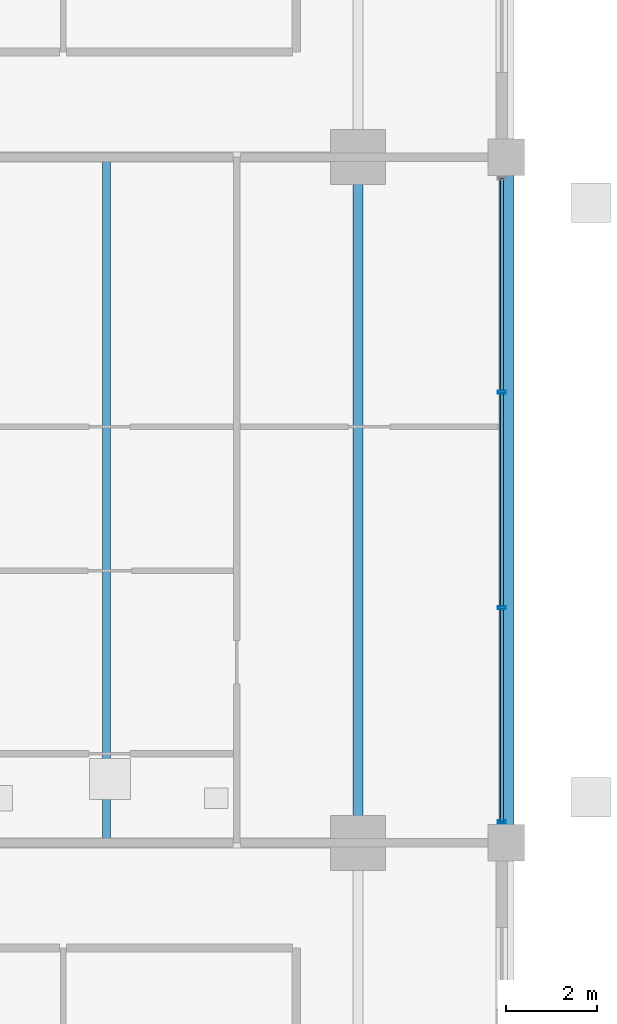
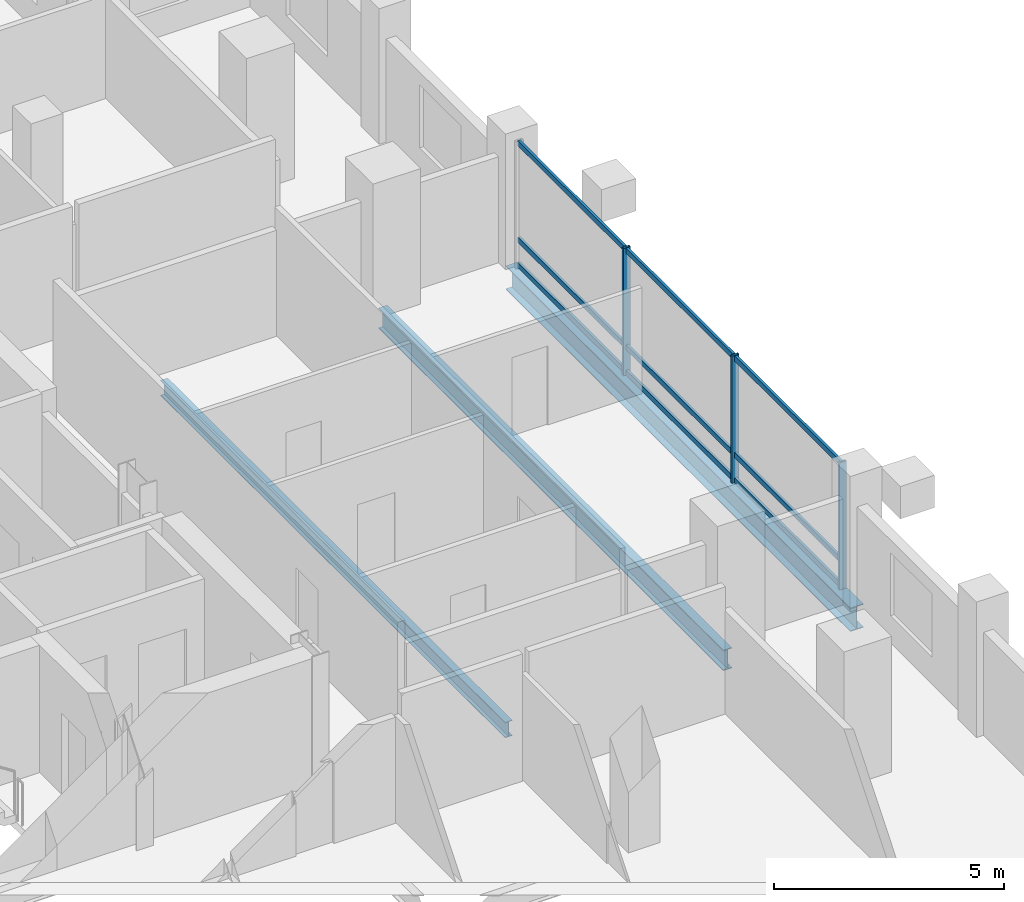
# One storey, part 7 of 19: 12 members, 3 beams, 1 element without a shape of its own.
"""IFC4 building model written with IfcOpenShell, lengths in metres."""

from ifc_helpers import new_model, si_unit, direction, frame, origin, origin_2d, place, context, subcontext, project, spatial, hollow_rectangle, i_section, extrude, material, layer, layer_set, material_profile, profile_set, type_object, element, aggregate, save


model = new_model("IFC4")

# Units and contexts
model_context = context("Model", 3, precision=1e-05, world=origin(), true_north=direction((0.0, 1.0)))
body_context = subcontext(model_context, "Body", "Model", "MODEL_VIEW")
ifc_project = project(units=[si_unit("LENGTHUNIT", "METRE"), si_unit("AREAUNIT", "SQUARE_METRE"), si_unit("VOLUMEUNIT", "CUBIC_METRE"), si_unit("PLANEANGLEUNIT", "RADIAN"), si_unit("MASSUNIT", "GRAM", prefix="KILO")], contexts=[model_context])

# Site, building, storey
site_placement = place(None, origin())
site = spatial("IfcSite", under=ifc_project, at=site_placement, CompositionType="ELEMENT")
building_placement = place(site_placement, origin())
building = spatial("IfcBuilding", under=site, at=building_placement, Name="Barlavira Tower and Art Museum", CompositionType="ELEMENT")
storey_placement = place(building_placement, frame((0.0, 0.0, 158.39990234375)))
storey = spatial("IfcBuildingStorey", under=building, at=storey_placement, Name="L40", CompositionType="ELEMENT", Elevation=158.39990234375)

# Curtain wall, members
ifc_material_1 = material(Name="Low-iron coastal laminated glass", Category="glass")
ifc_layer = layer(ifc_material_1, 0.18994140625, Name="Low-iron coastal laminated glass")
ifc_layer_set = layer_set([ifc_layer], Name="Low-iron coastal laminated glass")
curtain_wall_type = type_object("IfcCurtainWallType", Name="Pale-Metal Unitised Curtain Wall Zone 2", PredefinedType="NOTDEFINED", material=ifc_layer_set)
curtain_wall_placement = place(storey_placement, origin())
curtain_wall = element("IfcCurtainWall", 1, at=curtain_wall_placement, inside=storey, type_object=curtain_wall_type, Name="L40 Curtain Wall CW2-L40-E-B3", PredefinedType="NOTDEFINED")
ifc_material_2 = material(Name="Pale anodised aluminium", Category="aluminium")
ifc_material_profile_1 = material_profile(ifc_material_2, hollow_rectangle(XDim=0.06494140625, YDim=0.179931640625, WallThickness=0.00390625, at=origin_2d()), Name="ALU-MULL 65x180x4")
ifc_profile_set_1 = profile_set([ifc_material_profile_1], Name="Pale anodised aluminium")
member_type_1 = type_object("IfcMemberType", Name="Curtain Wall Pale-Metal Mullion 65x180", PredefinedType="MULLION", material=ifc_profile_set_1)
member_1_placement = place(storey_placement, frame((20.14990234375, -7.034912109375, 0.0), z_axis=(0.0, 0.0, 1.0), x_axis=(0.0, 1.0, 0.0)))
member_1 = element("IfcMember", 2, at=member_1_placement, type_object=member_type_1, Name="CW2-L40-E-B3 Mullion 0", PredefinedType="MULLION", context=body_context, shape_type="SweptSolid", body=[
    extrude(hollow_rectangle(XDim=0.06494140625, YDim=0.179931640625, WallThickness=0.00390625, at=origin_2d()), origin(), (0.0, 0.0, 1.0), 3.380126953125),
])
member_2_placement = place(storey_placement, frame((20.14990234375, -2.360107421875, 0.0), z_axis=(0.0, 0.0, 1.0), x_axis=(0.0, 1.0, 0.0)))
member_2 = element("IfcMember", 3, at=member_2_placement, type_object=member_type_1, Name="CW2-L40-E-B3 Mullion 1", PredefinedType="MULLION", context=body_context, shape_type="SweptSolid", body=[
    extrude(hollow_rectangle(XDim=0.06494140625, YDim=0.179931640625, WallThickness=0.00390625, at=origin_2d()), origin(), (0.0, 0.0, 1.0), 3.380126953125),
])
member_3_placement = place(storey_placement, frame((20.14990234375, 2.360107421875, 0.0), z_axis=(0.0, 0.0, 1.0), x_axis=(0.0, 1.0, 0.0)))
member_3 = element("IfcMember", 4, at=member_3_placement, type_object=member_type_1, Name="CW2-L40-E-B3 Mullion 2", PredefinedType="MULLION", context=body_context, shape_type="SweptSolid", body=[
    extrude(hollow_rectangle(XDim=0.06494140625, YDim=0.179931640625, WallThickness=0.00390625, at=origin_2d()), origin(), (0.0, 0.0, 1.0), 3.380126953125),
])
ifc_material_profile_2 = material_profile(ifc_material_2, hollow_rectangle(XDim=0.06494140625, YDim=0.139892578125, WallThickness=0.00390625, at=origin_2d()), Name="ALU-TRAN 65x140x4")
ifc_profile_set_2 = profile_set([ifc_material_profile_2], Name="Pale anodised aluminium")
member_type_2 = type_object("IfcMemberType", Name="Curtain Wall Pale-Metal Transom 65x140", PredefinedType="USERDEFINED", material=ifc_profile_set_2)
member_4_placement = place(storey_placement, frame((20.14990234375, -7.034912109375, 0.070068359375), z_axis=(0.0, 1.0, 0.0), x_axis=(-1.0, 0.0, 0.0)))
member_4 = element("IfcMember", 5, at=member_4_placement, type_object=member_type_2, Name="CW2-L40-E-B3 Transom 0.1", ObjectType="TRANSOM", PredefinedType="USERDEFINED", context=body_context, shape_type="SweptSolid", body=[
    extrude(hollow_rectangle(XDim=0.06494140625, YDim=0.139892578125, WallThickness=0.00390625, at=origin_2d()), origin(), (0.0, 0.0, 1.0), 4.6298828125),
])
member_5_placement = place(storey_placement, frame((20.14990234375, -7.034912109375, 0.744140625), z_axis=(0.0, 1.0, 0.0), x_axis=(-1.0, 0.0, 0.0)))
member_5 = element("IfcMember", 6, at=member_5_placement, type_object=member_type_2, Name="CW2-L40-E-B3 Transom 0.2", ObjectType="TRANSOM", PredefinedType="USERDEFINED", context=body_context, shape_type="SweptSolid", body=[
    extrude(hollow_rectangle(XDim=0.06494140625, YDim=0.139892578125, WallThickness=0.00390625, at=origin_2d()), origin(), (0.0, 0.0, 1.0), 4.6298828125),
])
member_6_placement = place(storey_placement, frame((20.14990234375, -7.034912109375, 3.31005859375), z_axis=(0.0, 1.0, 0.0), x_axis=(-1.0, 0.0, 0.0)))
member_6 = element("IfcMember", 7, at=member_6_placement, type_object=member_type_2, Name="CW2-L40-E-B3 Transom 0.3", ObjectType="TRANSOM", PredefinedType="USERDEFINED", context=body_context, shape_type="SweptSolid", body=[
    extrude(hollow_rectangle(XDim=0.06494140625, YDim=0.139892578125, WallThickness=0.00390625, at=origin_2d()), origin(), (0.0, 0.0, 1.0), 4.6298828125),
])
member_7_placement = place(storey_placement, frame((20.14990234375, -2.31494140625, 0.070068359375), z_axis=(0.0, 1.0, 0.0), x_axis=(-1.0, 0.0, 0.0)))
member_7 = element("IfcMember", 8, at=member_7_placement, type_object=member_type_2, Name="CW2-L40-E-B3 Transom 1.1", ObjectType="TRANSOM", PredefinedType="USERDEFINED", context=body_context, shape_type="SweptSolid", body=[
    extrude(hollow_rectangle(XDim=0.06494140625, YDim=0.139892578125, WallThickness=0.00390625, at=origin_2d()), origin(), (0.0, 0.0, 1.0), 4.6298828125),
])
member_8_placement = place(storey_placement, frame((20.14990234375, -2.31494140625, 0.744140625), z_axis=(0.0, 1.0, 0.0), x_axis=(-1.0, 0.0, 0.0)))
member_8 = element("IfcMember", 9, at=member_8_placement, type_object=member_type_2, Name="CW2-L40-E-B3 Transom 1.2", ObjectType="TRANSOM", PredefinedType="USERDEFINED", context=body_context, shape_type="SweptSolid", body=[
    extrude(hollow_rectangle(XDim=0.06494140625, YDim=0.139892578125, WallThickness=0.00390625, at=origin_2d()), origin(), (0.0, 0.0, 1.0), 4.6298828125),
])
member_9_placement = place(storey_placement, frame((20.14990234375, -2.31494140625, 3.31005859375), z_axis=(0.0, 1.0, 0.0), x_axis=(-1.0, 0.0, 0.0)))
member_9 = element("IfcMember", 10, at=member_9_placement, type_object=member_type_2, Name="CW2-L40-E-B3 Transom 1.3", ObjectType="TRANSOM", PredefinedType="USERDEFINED", context=body_context, shape_type="SweptSolid", body=[
    extrude(hollow_rectangle(XDim=0.06494140625, YDim=0.139892578125, WallThickness=0.00390625, at=origin_2d()), origin(), (0.0, 0.0, 1.0), 4.6298828125),
])
member_10_placement = place(storey_placement, frame((20.14990234375, 2.405029296875, 0.070068359375), z_axis=(0.0, 1.0, 0.0), x_axis=(-1.0, 0.0, 0.0)))
member_10 = element("IfcMember", 11, at=member_10_placement, type_object=member_type_2, Name="CW2-L40-E-B3 Transom 2.1", ObjectType="TRANSOM", PredefinedType="USERDEFINED", context=body_context, shape_type="SweptSolid", body=[
    extrude(hollow_rectangle(XDim=0.06494140625, YDim=0.139892578125, WallThickness=0.00390625, at=origin_2d()), origin(), (0.0, 0.0, 1.0), 4.6298828125),
])
member_11_placement = place(storey_placement, frame((20.14990234375, 2.405029296875, 0.744140625), z_axis=(0.0, 1.0, 0.0), x_axis=(-1.0, 0.0, 0.0)))
member_11 = element("IfcMember", 12, at=member_11_placement, type_object=member_type_2, Name="CW2-L40-E-B3 Transom 2.2", ObjectType="TRANSOM", PredefinedType="USERDEFINED", context=body_context, shape_type="SweptSolid", body=[
    extrude(hollow_rectangle(XDim=0.06494140625, YDim=0.139892578125, WallThickness=0.00390625, at=origin_2d()), origin(), (0.0, 0.0, 1.0), 4.6298828125),
])
member_12_placement = place(storey_placement, frame((20.14990234375, 2.405029296875, 3.31005859375), z_axis=(0.0, 1.0, 0.0), x_axis=(-1.0, 0.0, 0.0)))
member_12 = element("IfcMember", 13, at=member_12_placement, type_object=member_type_2, Name="CW2-L40-E-B3 Transom 2.3", ObjectType="TRANSOM", PredefinedType="USERDEFINED", context=body_context, shape_type="SweptSolid", body=[
    extrude(hollow_rectangle(XDim=0.06494140625, YDim=0.139892578125, WallThickness=0.00390625, at=origin_2d()), origin(), (0.0, 0.0, 1.0), 4.6298828125),
])
aggregate(curtain_wall, [member_1, member_2, member_3, member_4, member_5, member_6, member_7, member_8, member_9, member_10, member_11, member_12])

# Beams
ifc_material_3 = material(Name="Steel S355", Category="steel")
ifc_material_profile_3 = material_profile(ifc_material_3, i_section(OverallWidth=0.327880859375, OverallDepth=0.62890625, WebThickness=0.013916015625, FlangeThickness=0.021484375, at=origin_2d()), Name="W610x174.0")
ifc_profile_set_3 = profile_set([ifc_material_profile_3], Name="Steel S355")
beam_type_1 = type_object("IfcBeamType", Name="Perimeter Spandrel Edge Beam W610x174 Steel S355", PredefinedType="SPANDREL", material=ifc_profile_set_3)
beam_1_placement = place(storey_placement, frame((20.25, -7.5, -0.534423828125), z_axis=(0.0, 1.0, 0.0), x_axis=(-1.0, 0.0, 0.0)))
element("IfcBeam", 14, at=beam_1_placement, inside=storey, type_object=beam_type_1, Name="L40 Spandrel 6", PredefinedType="SPANDREL", context=body_context, shape_type="SweptSolid", body=[
    extrude(i_section(OverallWidth=0.327880859375, OverallDepth=0.62890625, WebThickness=0.013916015625, FlangeThickness=0.021484375, at=origin_2d()), origin(), (0.0, 0.0, 1.0), 15.0),
])
ifc_material_profile_4 = material_profile(ifc_material_3, i_section(OverallWidth=0.214111328125, OverallDepth=0.549072265625, WebThickness=0.0146484375, FlangeThickness=0.023681640625, at=origin_2d()), Name="W530x138.0")
ifc_profile_set_4 = profile_set([ifc_material_profile_4], Name="Steel S355")
beam_type_2 = type_object("IfcBeamType", Name="Zone 1 Primary Floor Girder W530x138 Steel S355", PredefinedType="BEAM", material=ifc_profile_set_4)
beam_2_placement = place(storey_placement, frame((17.0, -7.5, -0.494384765625), z_axis=(0.0, 1.0, 0.0), x_axis=(-1.0, 0.0, 0.0)))
element("IfcBeam", 15, at=beam_2_placement, inside=storey, type_object=beam_type_2, Name="L40 Girder M-E2", PredefinedType="BEAM", context=body_context, shape_type="SweptSolid", body=[
    extrude(i_section(OverallWidth=0.214111328125, OverallDepth=0.549072265625, WebThickness=0.0146484375, FlangeThickness=0.023681640625, at=origin_2d()), origin(), (0.0, 0.0, 1.0), 15.0),
])
ifc_material_profile_5 = material_profile(ifc_material_3, i_section(OverallWidth=0.179931640625, OverallDepth=0.4130859375, WebThickness=0.009765625, FlangeThickness=0.01611328125, at=origin_2d()), Name="W410x75.0")
ifc_profile_set_5 = profile_set([ifc_material_profile_5], Name="Steel S355")
beam_type_3 = type_object("IfcBeamType", Name="Zone 2 Composite Floor Joist W410x75 Steel S355", PredefinedType="JOIST", material=ifc_profile_set_5)
beam_3_placement = place(storey_placement, frame((11.5, -7.5, -0.426513671875), z_axis=(0.0, 1.0, 0.0), x_axis=(-1.0, 0.0, 0.0)))
element("IfcBeam", 16, at=beam_3_placement, inside=storey, type_object=beam_type_3, Name="L40 Joist W2", PredefinedType="JOIST", context=body_context, shape_type="SweptSolid", body=[
    extrude(i_section(OverallWidth=0.179931640625, OverallDepth=0.4130859375, WebThickness=0.009765625, FlangeThickness=0.01611328125, at=origin_2d()), origin(), (0.0, 0.0, 1.0), 15.0),
])

save(model, "model.ifc")
